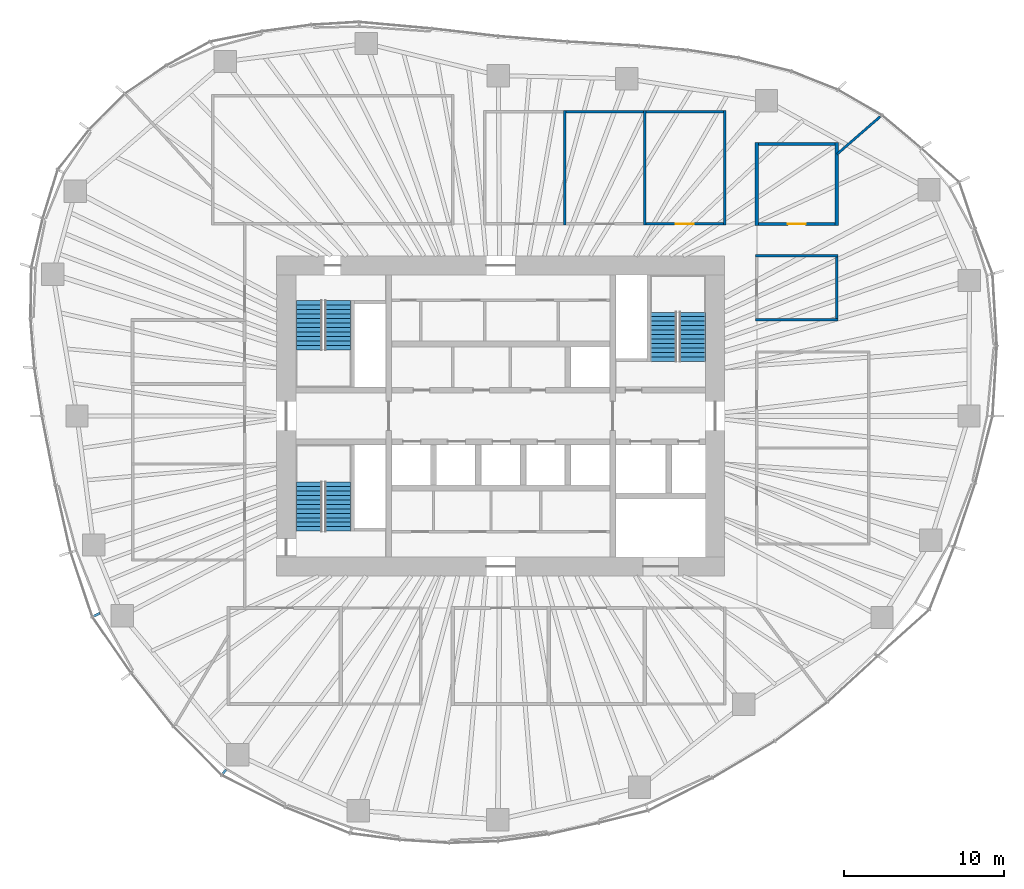
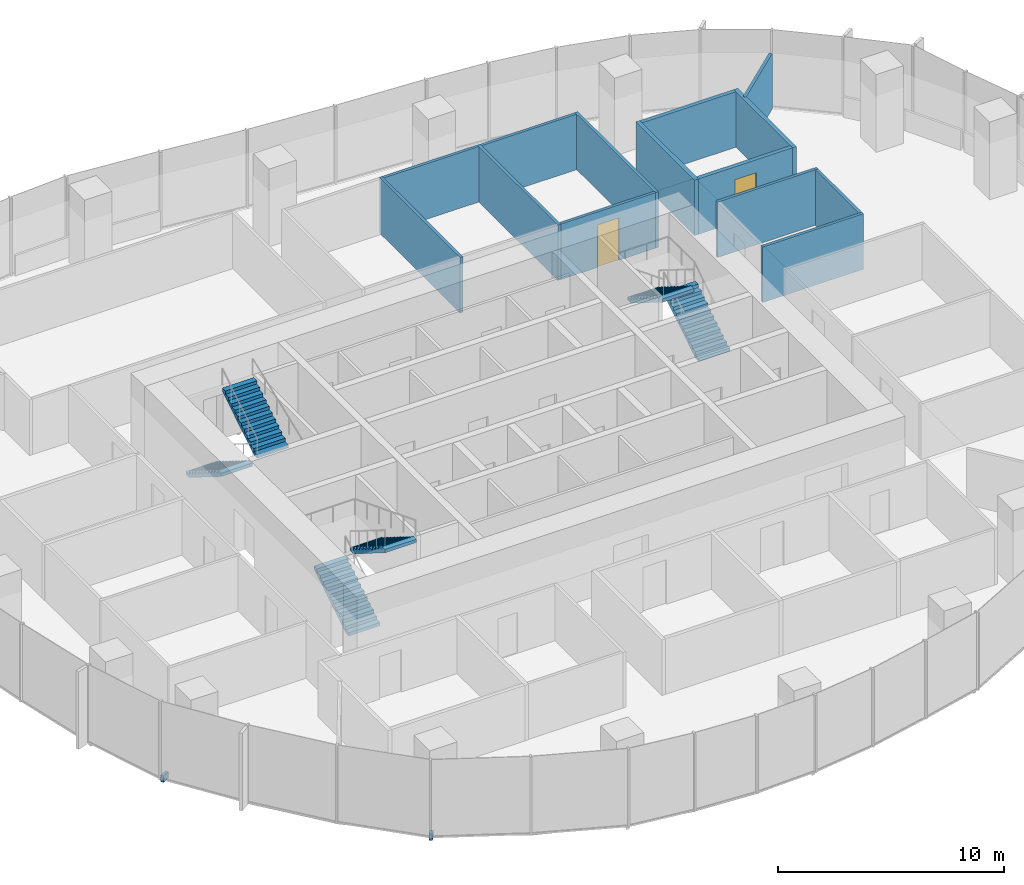
# One storey, part 11 of 18: 14 walls, 6 stair flights, 2 discrete accessories, 2 doors, 2 openings, 3 elements without a shape of their own.
"""IFC4 building model written with IfcOpenShell, lengths in metres."""

from ifc_helpers import new_model, si_unit, direction, frame, frame_2d, origin, origin_2d, place, context, subcontext, project, spatial, polyline, rectangle, outline, extrude, material, layer, layer_set, type_object, element, fill, aggregate, save


model = new_model("IFC4")

# Units and contexts
model_context = context("Model", 3, precision=1e-05, world=origin(), true_north=direction((0.0, 1.0)))
body_context = subcontext(model_context, "Body", "Model", "MODEL_VIEW")
ifc_project = project(units=[si_unit("LENGTHUNIT", "METRE"), si_unit("AREAUNIT", "SQUARE_METRE"), si_unit("VOLUMEUNIT", "CUBIC_METRE"), si_unit("PLANEANGLEUNIT", "RADIAN"), si_unit("MASSUNIT", "GRAM", prefix="KILO")], contexts=[model_context])

# Site, building, storey
site_placement = place(None, origin())
site = spatial("IfcSite", under=ifc_project, at=site_placement, CompositionType="ELEMENT")
building_placement = place(site_placement, origin())
building = spatial("IfcBuilding", under=site, at=building_placement, Name="Ghaith Harvest Tower", CompositionType="ELEMENT")
storey_placement = place(building_placement, frame((0.0, 0.0, 147.0)))
storey = spatial("IfcBuildingStorey", under=building, at=storey_placement, Name="L31", CompositionType="ELEMENT", Elevation=147.0)

# Walls
ifc_material_1 = material(Name="Twin-stud gypsum board, acoustic", Category="gypsum")
ifc_layer_1 = layer(ifc_material_1, 0.199951171875)
ifc_layer_set_1 = layer_set([ifc_layer_1], Name="ACOUSTIC PARTITION 200")
wall_type_1 = type_object("IfcWallType", Name="ACOUSTIC PARTITION 200", PredefinedType="PARTITIONING", material=ifc_layer_set_1)
for number, where, z_axis, x_axis, name in (
    (1, (16.0, 11.89990234375, 0.0), (0.0, 0.0, 1.0), (0.0, 1.0, 0.0), "Partition L31 row N7 cross wall 1"),
    (2, (21.0, 11.89990234375, 0.0), (0.0, 0.0, 1.0), (0.0, 1.0, 0.0), "Partition L31 row N7 cross wall 2"),
):
    element("IfcWall", number, at=place(storey_placement, frame(where, z_axis=z_axis, x_axis=x_axis)), inside=storey, type_object=wall_type_1, Name=name, PredefinedType="PARTITIONING", context=body_context, shape_type="SweptSolid", body=[
        extrude(rectangle(XDim=5.2001953125, YDim=0.199951171875, at=frame_2d((2.60009765625, 0.0))), origin(), (0.0, 0.0, 1.0), 3.0),
    ])

# Wall, opening, door
wall_1_placement = place(storey_placement, frame((16.10009765625, 12.0, 0.0), z_axis=(0.0, 0.0, 1.0), x_axis=(1.0, 0.0, 0.0)))
wall_1 = element("IfcWall", 3, at=wall_1_placement, inside=storey, type_object=wall_type_1, Name="Partition L31-15", PredefinedType="PARTITIONING", context=body_context, shape_type="SweptSolid", body=[
    extrude(rectangle(XDim=4.7998046875, YDim=0.199951171875, at=frame_2d((2.39990234375, 0.0))), origin(), (0.0, 0.0, 1.0), 3.0),
])
opening_1_placement = place(wall_1_placement, frame((1.85009765625, 0.0, 0.0)))
opening_1 = element("IfcOpeningElement", 4, at=opening_1_placement, cuts=wall_1, Name="Opening 31-042", PredefinedType="OPENING", context=body_context, shape_type="SweptSolid", body=[
    extrude(rectangle(XDim=1.10009765625, YDim=2.300048828125, at=frame_2d((0.550048828125, 1.14990234375))), frame((0.0, 0.10986328125, 0.0), z_axis=(0.0, -1.0, 0.0), x_axis=(1.0, 0.0, 0.0)), (0.0, 0.0, 1.0), 0.219970703125),
])
ifc_material_2 = material(Name="Timber-framed glazed door", Category="wood")
door_type = type_object("IfcDoorType", Name="D12 GLAZED OFFICE 1100x2300", OperationType="SINGLE_SWING_LEFT", PredefinedType="DOOR", material=ifc_material_2)
door_1_placement = place(opening_1_placement, origin())
door_1 = element("IfcDoor", 5, at=door_1_placement, inside=storey, type_object=door_type, Name="Focus room door", OperationType="SINGLE_SWING_LEFT", OverallHeight=2.300048828125, OverallWidth=1.10009765625, PredefinedType="DOOR", context=body_context, shape_type="SweptSolid", body=[
    extrude(rectangle(XDim=1.10009765625, YDim=2.300048828125, at=frame_2d((0.550048828125, 1.14990234375))), frame((0.0, 0.02490234375, 0.0), z_axis=(0.0, -1.0, 0.0), x_axis=(1.0, 0.0, 0.0)), (0.0, 0.0, 1.0), 0.050048828125),
])
fill(opening_1, door_1)

# Walls
wall_2_placement = place(storey_placement, frame((16.10009765625, 17.0, 0.0), z_axis=(0.0, 0.0, 1.0), x_axis=(1.0, 0.0, 0.0)))
element("IfcWall", 6, at=wall_2_placement, inside=storey, type_object=wall_type_1, Name="Partition L31-15", PredefinedType="PARTITIONING", context=body_context, shape_type="SweptSolid", body=[
    extrude(rectangle(XDim=4.7998046875, YDim=0.199951171875, at=frame_2d((2.39990234375, 0.0))), origin(), (0.0, 0.0, 1.0), 3.0),
])
ifc_material_3 = material(Name="Gypsum board on steel studs", Category="steel")
ifc_layer_2 = layer(ifc_material_3, 0.14990234375)
ifc_layer_set_2 = layer_set([ifc_layer_2], Name="PARTITION 150")
wall_type_2 = type_object("IfcWallType", Name="PARTITION 150", PredefinedType="PARTITIONING", material=ifc_layer_set_2)
for number, where, z_axis, x_axis, name in (
    (7, (4.0, 11.925048828125, 0.0), (0.0, 0.0, 1.0), (0.0, 1.0, 0.0), "Partition L31 row N2 cross wall 2"),
    (8, (9.0, 11.925048828125, 0.0), (0.0, 0.0, 1.0), (0.0, 1.0, 0.0), "Partition L31 row N2 cross wall 3"),
    (9, (14.0, 11.925048828125, 0.0), (0.0, 0.0, 1.0), (0.0, 1.0, 0.0), "Partition L31 row N2 cross wall 4"),
):
    element("IfcWall", number, at=place(storey_placement, frame(where, z_axis=z_axis, x_axis=x_axis)), inside=storey, type_object=wall_type_2, Name=name, PredefinedType="PARTITIONING", context=body_context, shape_type="SweptSolid", body=[
        extrude(rectangle(XDim=7.14990234375, YDim=0.14990234375, at=frame_2d((3.574951171875, 0.0))), origin(), (0.0, 0.0, 1.0), 3.0),
    ])
wall_3_placement = place(storey_placement, frame((4.074951171875, 19.0, 0.0), z_axis=(0.0, 0.0, 1.0), x_axis=(1.0, 0.0, 0.0)))
element("IfcWall", 10, at=wall_3_placement, inside=storey, type_object=wall_type_2, Name="Partition L31-03", PredefinedType="PARTITIONING", context=body_context, shape_type="SweptSolid", body=[
    extrude(rectangle(XDim=4.85009765625, YDim=0.14990234375, at=frame_2d((2.425048828125, 0.0))), origin(), (0.0, 0.0, 1.0), 3.0),
])

# Wall, opening, door
wall_4_placement = place(storey_placement, frame((9.074951171875, 12.0, 0.0), z_axis=(0.0, 0.0, 1.0), x_axis=(1.0, 0.0, 0.0)))
wall_4 = element("IfcWall", 11, at=wall_4_placement, inside=storey, type_object=wall_type_2, Name="Partition L31-04", PredefinedType="PARTITIONING", context=body_context, shape_type="SweptSolid", body=[
    extrude(rectangle(XDim=4.85009765625, YDim=0.14990234375, at=frame_2d((2.425048828125, 0.0))), origin(), (0.0, 0.0, 1.0), 3.0),
])
opening_2_placement = place(wall_4_placement, frame((1.875, 0.0, 0.0)))
opening_2 = element("IfcOpeningElement", 12, at=opening_2_placement, cuts=wall_4, Name="Opening 31-031", PredefinedType="OPENING", context=body_context, shape_type="SweptSolid", body=[
    extrude(rectangle(XDim=1.10009765625, YDim=2.300048828125, at=frame_2d((0.550048828125, 1.14990234375))), frame((0.0, 0.0849609375, 0.0), z_axis=(0.0, -1.0, 0.0), x_axis=(1.0, 0.0, 0.0)), (0.0, 0.0, 1.0), 0.169921875),
])
door_2_placement = place(opening_2_placement, origin())
door_2 = element("IfcDoor", 13, at=door_2_placement, inside=storey, type_object=door_type, Name="Office door", OperationType="SINGLE_SWING_LEFT", OverallHeight=2.300048828125, OverallWidth=1.10009765625, PredefinedType="DOOR", context=body_context, shape_type="SweptSolid", body=[
    extrude(rectangle(XDim=1.10009765625, YDim=2.300048828125, at=frame_2d((0.550048828125, 1.14990234375))), frame((0.0, 0.02490234375, 0.0), z_axis=(0.0, -1.0, 0.0), x_axis=(1.0, 0.0, 0.0)), (0.0, 0.0, 1.0), 0.050048828125),
])
fill(opening_2, door_2)

# Walls
wall_5_placement = place(storey_placement, frame((9.074951171875, 19.0, 0.0), z_axis=(0.0, 0.0, 1.0), x_axis=(1.0, 0.0, 0.0)))
element("IfcWall", 14, at=wall_5_placement, inside=storey, type_object=wall_type_2, Name="Partition L31-04", PredefinedType="PARTITIONING", context=body_context, shape_type="SweptSolid", body=[
    extrude(rectangle(XDim=4.85009765625, YDim=0.14990234375, at=frame_2d((2.425048828125, 0.0))), origin(), (0.0, 0.0, 1.0), 3.0),
])
for number, where, z_axis, x_axis, name in (
    (15, (15.925048828125, 6.0, 0.0), (0.0, 0.0, 1.0), (1.0, 0.0, 0.0), "Partition L31 row E8 cross wall 1"),
    (16, (15.925048828125, 10.0, 0.0), (0.0, 0.0, 1.0), (1.0, 0.0, 0.0), "Partition L31 row E8 cross wall 2"),
):
    element("IfcWall", number, at=place(storey_placement, frame(where, z_axis=z_axis, x_axis=x_axis)), inside=storey, type_object=wall_type_2, Name=name, PredefinedType="PARTITIONING", context=body_context, shape_type="SweptSolid", body=[
        extrude(rectangle(XDim=5.14990234375, YDim=0.14990234375, at=frame_2d((2.574951171875, 0.0))), origin(), (0.0, 0.0, 1.0), 3.0),
    ])
wall_6_placement = place(storey_placement, frame((21.0, 6.074951171875, 0.0), z_axis=(0.0, 0.0, 1.0), x_axis=(0.0, 1.0, 0.0)))
element("IfcWall", 17, at=wall_6_placement, inside=storey, type_object=wall_type_2, Name="Partition L31-16", PredefinedType="PARTITIONING", context=body_context, shape_type="SweptSolid", body=[
    extrude(rectangle(XDim=3.85009765625, YDim=0.14990234375, at=frame_2d((1.925048828125, 0.0))), origin(), (0.0, 0.0, 1.0), 3.0),
])
wall_7_placement = place(storey_placement, frame((21.02001953125, 16.364013671875, 0.0), z_axis=(0.0, 0.0, 1.0), x_axis=(0.75467183248, 0.656102450278, 0.0)))
element("IfcWall", 18, at=wall_7_placement, inside=storey, type_object=wall_type_2, Name="Partition L31 zone division", PredefinedType="PARTITIONING", context=body_context, shape_type="SweptSolid", body=[
    extrude(rectangle(XDim=3.566650390625, YDim=0.14990234375, at=frame_2d((1.783203125, 0.0))), origin(), (0.0, 0.0, 1.0), 3.0),
])

# Stair, stair flights
ifc_material_4 = material(Name="Concrete C40/50, precast", Category="concrete")
stair_type = type_object("IfcStairType", Name="CORE STAIR 24R", PredefinedType="HALF_TURN_STAIR", material=ifc_material_4)
stair_1_placement = place(storey_placement, origin())
stair_1 = element("IfcStair", 19, at=stair_1_placement, inside=storey, type_object=stair_type, Name="Stair ST1 L31", PredefinedType="HALF_TURN_STAIR")
ifc_material_5 = material(Name="Concrete C40/50, precast", Category="concrete")
stair_flight_type = type_object("IfcStairFlightType", Name="CORE FLIGHT 12R 1600", PredefinedType="STRAIGHT", material=ifc_material_5)
stair_flight_1_placement = place(storey_placement, frame((-12.0, 7.199951171875, 0.0), z_axis=(0.0, 0.0, 1.0), x_axis=(0.0, -1.0, 0.0)))
stair_flight_1 = element("IfcStairFlight", 20, at=stair_flight_1_placement, type_object=stair_flight_type, Name="ST1 flight 1", NumberOfRisers=12, NumberOfTreads=11, PredefinedType="STRAIGHT", RiserHeight=0.175, TreadLength=0.28, context=body_context, shape_type="SweptSolid", body=[
    extrude(outline(polyline([(0.0, 0.0), (0.0, 0.175048828125), (0.280029296875, 0.175048828125), (0.280029296875, 0.35009765625), (0.56005859375, 0.35009765625), (0.56005859375, 0.52490234375), (0.840087890625, 0.52490234375), (0.840087890625, 0.699951171875), (1.1201171875, 0.699951171875), (1.1201171875, 0.875), (1.39990234375, 0.875), (1.39990234375, 1.050048828125), (1.679931640625, 1.050048828125), (1.679931640625, 1.22509765625), (1.9599609375, 1.22509765625), (1.9599609375, 1.39990234375), (2.239990234375, 1.39990234375), (2.239990234375, 1.574951171875), (2.52001953125, 1.574951171875), (2.52001953125, 1.75), (2.800048828125, 1.75), (2.800048828125, 1.925048828125), (3.080078125, 1.925048828125), (3.080078125, 2.10009765625), (3.080078125, 1.748291015625), (0.28271484375, 0.0), (0.0, 0.0)])), frame((0.0, 0.800048828125, 0.0), z_axis=(0.0, -1.0, 0.0), x_axis=(1.0, 0.0, 0.0)), (0.0, 0.0, 1.0), 1.60009765625),
])
stair_flight_2_placement = place(storey_placement, frame((-10.14990234375, 4.1201171875, 2.10009765625), z_axis=(0.0, 0.0, 1.0), x_axis=(0.0, 1.0, 0.0)))
stair_flight_2 = element("IfcStairFlight", 21, at=stair_flight_2_placement, type_object=stair_flight_type, Name="ST1 flight 2", NumberOfRisers=12, NumberOfTreads=11, PredefinedType="STRAIGHT", RiserHeight=0.175, TreadLength=0.28, context=body_context, shape_type="SweptSolid", body=[
    extrude(outline(polyline([(0.0, 0.0), (0.0, 0.175048828125), (0.280029296875, 0.175048828125), (0.280029296875, 0.35009765625), (0.56005859375, 0.35009765625), (0.56005859375, 0.52490234375), (0.840087890625, 0.52490234375), (0.840087890625, 0.699951171875), (1.1201171875, 0.699951171875), (1.1201171875, 0.875), (1.39990234375, 0.875), (1.39990234375, 1.050048828125), (1.679931640625, 1.050048828125), (1.679931640625, 1.22509765625), (1.9599609375, 1.22509765625), (1.9599609375, 1.39990234375), (2.239990234375, 1.39990234375), (2.239990234375, 1.574951171875), (2.52001953125, 1.574951171875), (2.52001953125, 1.75), (2.800048828125, 1.75), (2.800048828125, 1.925048828125), (3.080078125, 1.925048828125), (3.080078125, 2.10009765625), (3.080078125, 1.748291015625), (0.28271484375, 0.0), (0.0, 0.0)])), frame((0.0, 0.800048828125, 0.0), z_axis=(0.0, -1.0, 0.0), x_axis=(1.0, 0.0, 0.0)), (0.0, 0.0, 1.0), 1.60009765625),
])
aggregate(stair_1, [stair_flight_1, stair_flight_2])

stair_2_placement = place(storey_placement, origin())
stair_2 = element("IfcStair", 22, at=stair_2_placement, inside=storey, type_object=stair_type, Name="Stair ST3 L31", PredefinedType="HALF_TURN_STAIR")
stair_flight_3_placement = place(storey_placement, frame((-12.0, -7.199951171875, 0.0), z_axis=(0.0, 0.0, 1.0), x_axis=(0.0, 1.0, 0.0)))
stair_flight_3 = element("IfcStairFlight", 23, at=stair_flight_3_placement, type_object=stair_flight_type, Name="ST3 flight 1", NumberOfRisers=12, NumberOfTreads=11, PredefinedType="STRAIGHT", RiserHeight=0.175, TreadLength=0.28, context=body_context, shape_type="SweptSolid", body=[
    extrude(outline(polyline([(0.0, 0.0), (0.0, 0.175048828125), (0.280029296875, 0.175048828125), (0.280029296875, 0.35009765625), (0.56005859375, 0.35009765625), (0.56005859375, 0.52490234375), (0.840087890625, 0.52490234375), (0.840087890625, 0.699951171875), (1.1201171875, 0.699951171875), (1.1201171875, 0.875), (1.39990234375, 0.875), (1.39990234375, 1.050048828125), (1.679931640625, 1.050048828125), (1.679931640625, 1.22509765625), (1.9599609375, 1.22509765625), (1.9599609375, 1.39990234375), (2.239990234375, 1.39990234375), (2.239990234375, 1.574951171875), (2.52001953125, 1.574951171875), (2.52001953125, 1.75), (2.800048828125, 1.75), (2.800048828125, 1.925048828125), (3.080078125, 1.925048828125), (3.080078125, 2.10009765625), (3.080078125, 1.748291015625), (0.28271484375, 0.0), (0.0, 0.0)])), frame((0.0, 0.800048828125, 0.0), z_axis=(0.0, -1.0, 0.0), x_axis=(1.0, 0.0, 0.0)), (0.0, 0.0, 1.0), 1.60009765625),
])
stair_flight_4_placement = place(storey_placement, frame((-10.14990234375, -4.1201171875, 2.10009765625), z_axis=(0.0, 0.0, 1.0), x_axis=(0.0, -1.0, 0.0)))
stair_flight_4 = element("IfcStairFlight", 24, at=stair_flight_4_placement, type_object=stair_flight_type, Name="ST3 flight 2", NumberOfRisers=12, NumberOfTreads=11, PredefinedType="STRAIGHT", RiserHeight=0.175, TreadLength=0.28, context=body_context, shape_type="SweptSolid", body=[
    extrude(outline(polyline([(0.0, 0.0), (0.0, 0.175048828125), (0.280029296875, 0.175048828125), (0.280029296875, 0.35009765625), (0.56005859375, 0.35009765625), (0.56005859375, 0.52490234375), (0.840087890625, 0.52490234375), (0.840087890625, 0.699951171875), (1.1201171875, 0.699951171875), (1.1201171875, 0.875), (1.39990234375, 0.875), (1.39990234375, 1.050048828125), (1.679931640625, 1.050048828125), (1.679931640625, 1.22509765625), (1.9599609375, 1.22509765625), (1.9599609375, 1.39990234375), (2.239990234375, 1.39990234375), (2.239990234375, 1.574951171875), (2.52001953125, 1.574951171875), (2.52001953125, 1.75), (2.800048828125, 1.75), (2.800048828125, 1.925048828125), (3.080078125, 1.925048828125), (3.080078125, 2.10009765625), (3.080078125, 1.748291015625), (0.28271484375, 0.0), (0.0, 0.0)])), frame((0.0, 0.800048828125, 0.0), z_axis=(0.0, -1.0, 0.0), x_axis=(1.0, 0.0, 0.0)), (0.0, 0.0, 1.0), 1.60009765625),
])
aggregate(stair_2, [stair_flight_3, stair_flight_4])

stair_3_placement = place(storey_placement, origin())
stair_3 = element("IfcStair", 25, at=stair_3_placement, inside=storey, type_object=stair_type, Name="Stair ST2 L31", PredefinedType="HALF_TURN_STAIR")
stair_flight_5_placement = place(storey_placement, frame((12.0, 3.39990234375, 0.0), z_axis=(0.0, 0.0, 1.0), x_axis=(0.0, 1.0, 0.0)))
stair_flight_5 = element("IfcStairFlight", 26, at=stair_flight_5_placement, type_object=stair_flight_type, Name="ST2 flight 1", NumberOfRisers=12, NumberOfTreads=11, PredefinedType="STRAIGHT", RiserHeight=0.175, TreadLength=0.28, context=body_context, shape_type="SweptSolid", body=[
    extrude(outline(polyline([(0.0, 0.0), (0.0, 0.175048828125), (0.280029296875, 0.175048828125), (0.280029296875, 0.35009765625), (0.56005859375, 0.35009765625), (0.56005859375, 0.52490234375), (0.840087890625, 0.52490234375), (0.840087890625, 0.699951171875), (1.1201171875, 0.699951171875), (1.1201171875, 0.875), (1.39990234375, 0.875), (1.39990234375, 1.050048828125), (1.679931640625, 1.050048828125), (1.679931640625, 1.22509765625), (1.9599609375, 1.22509765625), (1.9599609375, 1.39990234375), (2.239990234375, 1.39990234375), (2.239990234375, 1.574951171875), (2.52001953125, 1.574951171875), (2.52001953125, 1.75), (2.800048828125, 1.75), (2.800048828125, 1.925048828125), (3.080078125, 1.925048828125), (3.080078125, 2.10009765625), (3.080078125, 1.748291015625), (0.28271484375, 0.0), (0.0, 0.0)])), frame((0.0, 0.800048828125, 0.0), z_axis=(0.0, -1.0, 0.0), x_axis=(1.0, 0.0, 0.0)), (0.0, 0.0, 1.0), 1.60009765625),
])
stair_flight_6_placement = place(storey_placement, frame((10.14990234375, 6.47998046875, 2.10009765625), z_axis=(0.0, 0.0, 1.0), x_axis=(0.0, -1.0, 0.0)))
stair_flight_6 = element("IfcStairFlight", 27, at=stair_flight_6_placement, type_object=stair_flight_type, Name="ST2 flight 2", NumberOfRisers=12, NumberOfTreads=11, PredefinedType="STRAIGHT", RiserHeight=0.175, TreadLength=0.28, context=body_context, shape_type="SweptSolid", body=[
    extrude(outline(polyline([(0.0, 0.0), (0.0, 0.175048828125), (0.280029296875, 0.175048828125), (0.280029296875, 0.35009765625), (0.56005859375, 0.35009765625), (0.56005859375, 0.52490234375), (0.840087890625, 0.52490234375), (0.840087890625, 0.699951171875), (1.1201171875, 0.699951171875), (1.1201171875, 0.875), (1.39990234375, 0.875), (1.39990234375, 1.050048828125), (1.679931640625, 1.050048828125), (1.679931640625, 1.22509765625), (1.9599609375, 1.22509765625), (1.9599609375, 1.39990234375), (2.239990234375, 1.39990234375), (2.239990234375, 1.574951171875), (2.52001953125, 1.574951171875), (2.52001953125, 1.75), (2.800048828125, 1.75), (2.800048828125, 1.925048828125), (3.080078125, 1.925048828125), (3.080078125, 2.10009765625), (3.080078125, 1.748291015625), (0.28271484375, 0.0), (0.0, 0.0)])), frame((0.0, 0.800048828125, 0.0), z_axis=(0.0, -1.0, 0.0), x_axis=(1.0, 0.0, 0.0)), (0.0, 0.0, 1.0), 1.60009765625),
])
aggregate(stair_3, [stair_flight_5, stair_flight_6])

# Discrete accessories
ifc_material_6 = material(Name="Stainless steel grade 1.4401", Category="steel")
discrete_accessory_type_1 = type_object("IfcDiscreteAccessoryType", Name="CURTAIN WALL BRACKET 315", PredefinedType="BRACKET", material=ifc_material_6)
discrete_accessory_1_placement = place(storey_placement, frame((-17.266357421875, -22.232421875, -0.25), z_axis=(0.0, 0.0, 1.0), x_axis=(-0.613377713774, -0.789789706343, 0.0)))
element("IfcDiscreteAccessory", 28, at=discrete_accessory_1_placement, inside=storey, type_object=discrete_accessory_type_1, Name="CW-L bracket 1 bay 14 L31", PredefinedType="BRACKET", context=body_context, shape_type="SweptSolid", body=[
    extrude(rectangle(XDim=0.31494140625, YDim=0.14990234375, at=origin_2d()), origin(), (0.0, 0.0, 1.0), 0.35009765625),
])
ifc_material_7 = material(Name="Stainless steel grade 1.4401", Category="steel")
discrete_accessory_type_2 = type_object("IfcDiscreteAccessoryType", Name="CURTAIN WALL BRACKET 415", PredefinedType="BRACKET", material=ifc_material_7)
discrete_accessory_2_placement = place(storey_placement, frame((-25.228515625, -12.41796875, -0.25), z_axis=(0.0, 0.0, 1.0), x_axis=(-0.897201221415, -0.441621974421, 0.0)))
element("IfcDiscreteAccessory", 29, at=discrete_accessory_2_placement, inside=storey, type_object=discrete_accessory_type_2, Name="CW-L bracket 2 bay 12 L31", PredefinedType="BRACKET", context=body_context, shape_type="SweptSolid", body=[
    extrude(rectangle(XDim=0.4150390625, YDim=0.14990234375, at=origin_2d()), origin(), (0.0, 0.0, 1.0), 0.35009765625),
])

save(model, "model.ifc")
